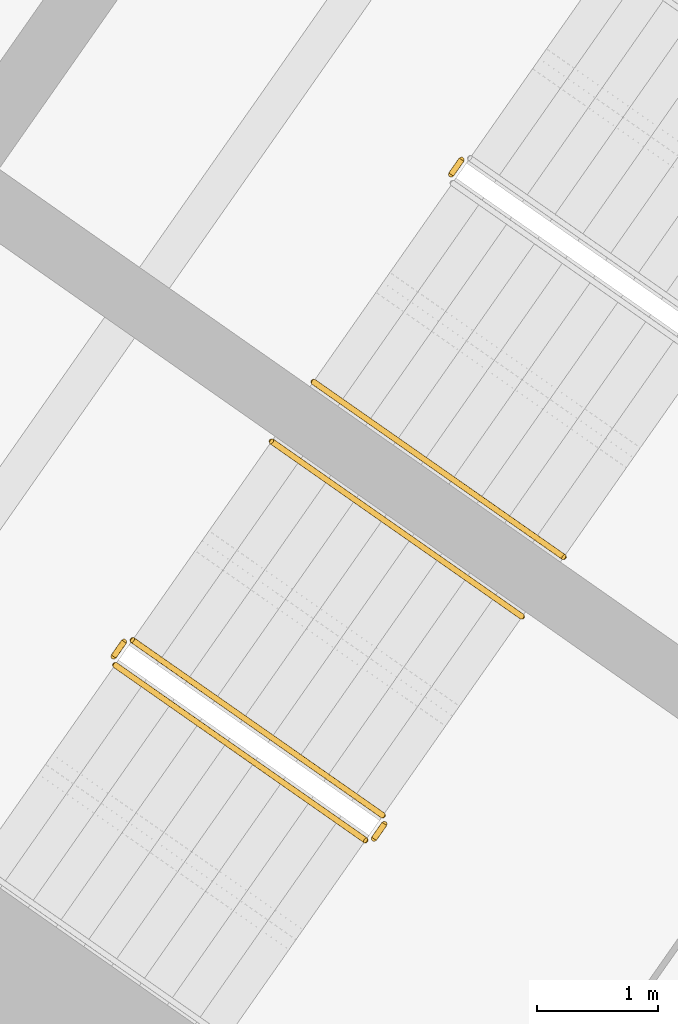
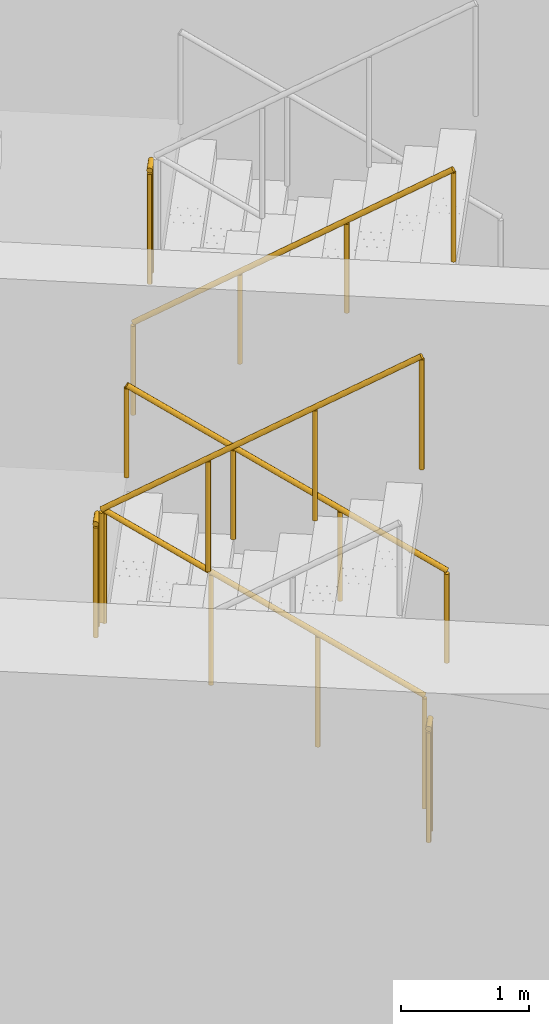
# One storey, part 21 of 23: 7 railings.
"""IFC4 building model written with IfcOpenShell, lengths in metres."""

from ifc_helpers import new_model, si_unit, direction, frame, origin, origin_2d, place, context, subcontext, project, spatial, circle, extrude, material, type_object, element, save


model = new_model("IFC4")

# Units and contexts
model_context = context("Model", 3, precision=1e-05, world=origin(), true_north=direction((0.0, 1.0)))
body_context = subcontext(model_context, "Body", "Model", "MODEL_VIEW")
ifc_project = project(units=[si_unit("LENGTHUNIT", "METRE"), si_unit("AREAUNIT", "SQUARE_METRE"), si_unit("VOLUMEUNIT", "CUBIC_METRE"), si_unit("PLANEANGLEUNIT", "RADIAN"), si_unit("MASSUNIT", "GRAM", prefix="KILO")], contexts=[model_context])

# Site, building, storey
site_placement = place(None, origin())
site = spatial("IfcSite", under=ifc_project, at=site_placement, CompositionType="ELEMENT")
building_placement = place(site_placement, origin())
building = spatial("IfcBuilding", under=site, at=building_placement, Name="Tel Ilan Convention Tower", CompositionType="ELEMENT")
storey_placement = place(building_placement, frame((0.0, 0.0, 101.300048828125)))
storey = spatial("IfcBuildingStorey", under=building, at=storey_placement, Name="L21", CompositionType="ELEMENT", Elevation=101.300048828125)

# Railings
ifc_material_1 = material(Name="Stainless Steel Grade 316", Category="steel")
railing_type_1 = type_object("IfcRailingType", Name="Stainless Steel Stair Guard 1100 mm", PredefinedType="GUARDRAIL", material=ifc_material_1)
railing_1_placement = place(storey_placement, frame((21.544921875, -6.41845703125, 1.800048828125)))
element("IfcRailing", 1, at=railing_1_placement, inside=storey, type_object=railing_type_1, Name="L21 S3 stair guard 2", PredefinedType="GUARDRAIL", context=body_context, shape_type="SweptSolid", body=[
    extrude(circle(Radius=0.02392578125, at=origin_2d()), frame((0.0, 0.0, 1.076171875), z_axis=(-0.573353020881, -0.819308436089, 0.0), x_axis=(0.819308436089, -0.573353020881, 0.0)), (0.0, 0.0, 1.0), 0.14990234375),
    extrude(circle(Radius=0.02099609375, at=origin_2d()), origin(), (0.0, 0.0, 1.0), 1.052001953125),
    extrude(circle(Radius=0.02099609375, at=origin_2d()), frame((-0.0859375, -0.122802734375, 0.0)), (0.0, 0.0, 1.0), 1.052001953125),
])
railing_2_placement = place(storey_placement, frame((20.89697265625, -11.824462890625, 0.179931640625)))
element("IfcRailing", 2, at=railing_2_placement, inside=storey, type_object=railing_type_1, Name="L21 S4 stair guard 1", PredefinedType="GUARDRAIL", context=body_context, shape_type="SweptSolid", body=[
    extrude(circle(Radius=0.02392578125, at=origin_2d()), frame((0.0, 0.0, 1.076171875), z_axis=(-0.689013013563, 0.482512838948, 0.540779462804), x_axis=(-0.573624882958, -0.819118119475, 0.0)), (0.0, 0.0, 1.0), 2.995849609375),
    extrude(circle(Radius=0.02099609375, at=origin_2d()), origin(), (0.0, 0.0, 1.0), 1.052001953125),
    extrude(circle(Radius=0.02099609375, at=origin_2d()), frame((-0.68798828125, 0.48193359375, 0.5400390625)), (0.0, 0.0, 1.0), 1.052001953125),
    extrude(circle(Radius=0.02099609375, at=origin_2d()), frame((-1.376220703125, 0.963623046875, 1.080078125)), (0.0, 0.0, 1.0), 1.052001953125),
    extrude(circle(Radius=0.02099609375, at=origin_2d()), frame((-2.064208984375, 1.445556640625, 1.6201171875)), (0.0, 0.0, 1.0), 1.052001953125),
])
railing_3_placement = place(storey_placement, frame((18.762939453125, -10.391357421875, 1.800048828125)))
element("IfcRailing", 3, at=railing_3_placement, inside=storey, type_object=railing_type_1, Name="L21 S4 stair guard 2", PredefinedType="GUARDRAIL", context=body_context, shape_type="SweptSolid", body=[
    extrude(circle(Radius=0.02392578125, at=origin_2d()), frame((0.0, 0.0, 1.076171875), z_axis=(-0.573353020881, -0.819308436089, 0.0), x_axis=(0.819308436089, -0.573353020881, 0.0)), (0.0, 0.0, 1.0), 0.14990234375),
    extrude(circle(Radius=0.02099609375, at=origin_2d()), origin(), (0.0, 0.0, 1.0), 1.052001953125),
    extrude(circle(Radius=0.02099609375, at=origin_2d()), frame((-0.0859375, -0.122802734375, 0.0)), (0.0, 0.0, 1.0), 1.052001953125),
])
railing_4_placement = place(storey_placement, frame((18.689208984375, -10.583740234375, 1.97998046875)))
element("IfcRailing", 4, at=railing_4_placement, inside=storey, type_object=railing_type_1, Name="L21 S4 stair guard 3", PredefinedType="GUARDRAIL", context=body_context, shape_type="SweptSolid", body=[
    extrude(circle(Radius=0.02392578125, at=origin_2d()), frame((0.0, 0.0, 1.076171875), z_axis=(0.689086176785, -0.482507007183, 0.540691436018), x_axis=(0.573579365141, 0.81914999352, 0.0)), (0.0, 0.0, 1.0), 2.995849609375),
    extrude(circle(Radius=0.02099609375, at=origin_2d()), origin(), (0.0, 0.0, 1.0), 1.052001953125),
    extrude(circle(Radius=0.02099609375, at=origin_2d()), frame((0.688232421875, -0.48193359375, 0.5400390625)), (0.0, 0.0, 1.0), 1.052001953125),
    extrude(circle(Radius=0.02099609375, at=origin_2d()), frame((1.376220703125, -0.963623046875, 1.079833984375)), (0.0, 0.0, 1.0), 1.052001953125),
    extrude(circle(Radius=0.02099609375, at=origin_2d()), frame((2.064453125, -1.445556640625, 1.619873046875)), (0.0, 0.0, 1.0), 1.052001953125),
])
railing_5_placement = place(storey_placement, frame((20.9091796875, -11.89404296875, 0.0)))
element("IfcRailing", 5, at=railing_5_placement, inside=storey, type_object=railing_type_1, Name="L21 S4 stair guard 4", PredefinedType="GUARDRAIL", context=body_context, shape_type="SweptSolid", body=[
    extrude(circle(Radius=0.02392578125, at=origin_2d()), frame((0.0, 0.0, 1.076171875), z_axis=(-0.573353020881, -0.819308436089, 0.0), x_axis=(0.819308436089, -0.573353020881, 0.0)), (0.0, 0.0, 1.0), 0.14990234375),
    extrude(circle(Radius=0.02099609375, at=origin_2d()), origin(), (0.0, 0.0, 1.0), 1.052001953125),
    extrude(circle(Radius=0.02099609375, at=origin_2d()), frame((-0.0859375, -0.122802734375, 0.0)), (0.0, 0.0, 1.0), 1.052001953125),
])
ifc_material_2 = material(Name="Stainless Steel Grade 316", Category="steel")
railing_type_2 = type_object("IfcRailingType", Name="Stainless Steel Stair Handrail 900 mm", PredefinedType="HANDRAIL", material=ifc_material_2)
railing_6_placement = place(storey_placement, frame((20.323974609375, -8.249267578125, 1.97998046875)))
element("IfcRailing", 6, at=railing_6_placement, inside=storey, type_object=railing_type_2, Name="L21 S3 stair handrail 2", PredefinedType="HANDRAIL", context=body_context, shape_type="SweptSolid", body=[
    extrude(circle(Radius=0.02392578125, at=origin_2d()), frame((0.0, 0.0, 0.8759765625), z_axis=(0.68907047291, -0.482471578903, 0.540743061828), x_axis=(0.573559875649, 0.819163639968, 0.0)), (0.0, 0.0, 1.0), 2.99560546875),
    extrude(circle(Radius=0.02099609375, at=origin_2d()), origin(), (0.0, 0.0, 1.0), 0.851806640625),
    extrude(circle(Radius=0.02099609375, at=origin_2d()), frame((0.68798828125, -0.481689453125, 0.5400390625)), (0.0, 0.0, 1.0), 0.851806640625),
    extrude(circle(Radius=0.02099609375, at=origin_2d()), frame((1.376220703125, -0.963623046875, 1.079833984375)), (0.0, 0.0, 1.0), 0.851806640625),
    extrude(circle(Radius=0.02099609375, at=origin_2d()), frame((2.064208984375, -1.4453125, 1.619873046875)), (0.0, 0.0, 1.0), 0.851806640625),
])
railing_7_placement = place(storey_placement, frame((22.044189453125, -10.18603515625, 0.179931640625)))
element("IfcRailing", 7, at=railing_7_placement, inside=storey, type_object=railing_type_2, Name="L21 S4 stair handrail 1", PredefinedType="HANDRAIL", context=body_context, shape_type="SweptSolid", body=[
    extrude(circle(Radius=0.02392578125, at=origin_2d()), frame((0.0, 0.0, 0.8759765625), z_axis=(-0.689082904933, 0.482423225781, 0.540770359169), x_axis=(-0.573514357932, -0.81919550856, 0.0)), (0.0, 0.0, 1.0), 2.995849609375),
    extrude(circle(Radius=0.02099609375, at=origin_2d()), origin(), (0.0, 0.0, 1.0), 0.851806640625),
    extrude(circle(Radius=0.02099609375, at=origin_2d()), frame((-0.688232421875, 0.481689453125, 0.5400390625)), (0.0, 0.0, 1.0), 0.851806640625),
    extrude(circle(Radius=0.02099609375, at=origin_2d()), frame((-1.376220703125, 0.963623046875, 1.080078125)), (0.0, 0.0, 1.0), 0.851806640625),
    extrude(circle(Radius=0.02099609375, at=origin_2d()), frame((-2.064453125, 1.4453125, 1.6201171875)), (0.0, 0.0, 1.0), 0.851806640625),
])

save(model, "model.ifc")
